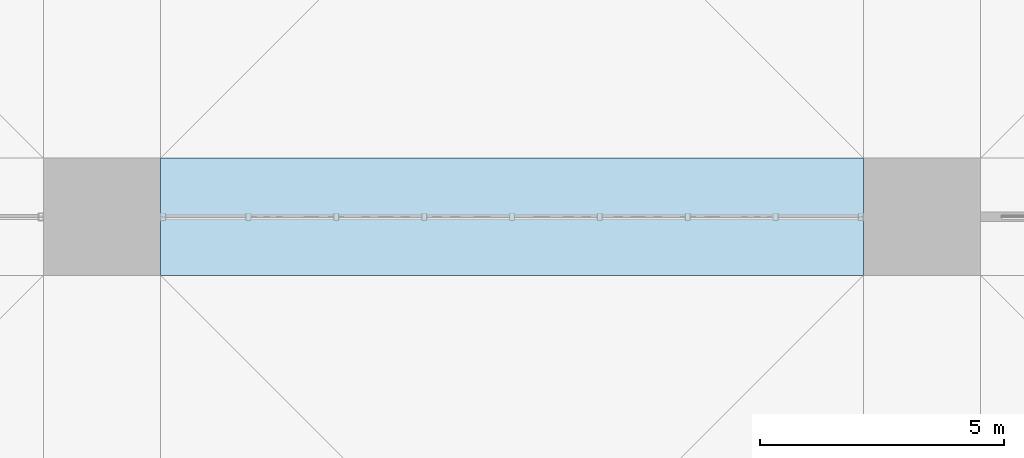
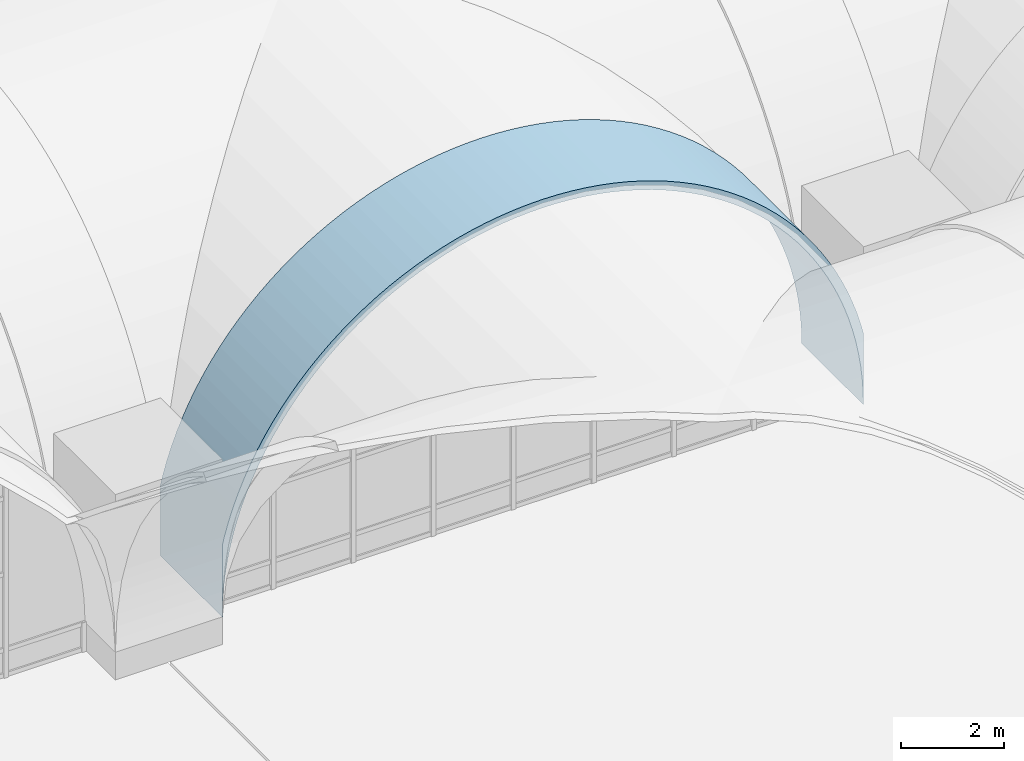
# One storey, part 132 of 169: 1 roof.
"""IFC4 building model written with IfcOpenShell, lengths in metres."""

from ifc_helpers import new_model, si_unit, direction, frame, origin, place, context, subcontext, project, spatial, polygons, material, layer, layer_set, type_object, element, save


model = new_model("IFC4")

# Units and contexts
model_context = context("Model", 3, precision=1e-05, world=origin(), true_north=direction((0.0, 1.0)))
body_context = subcontext(model_context, "Body", "Model", "MODEL_VIEW")
ifc_project = project(units=[si_unit("LENGTHUNIT", "METRE"), si_unit("AREAUNIT", "SQUARE_METRE"), si_unit("VOLUMEUNIT", "CUBIC_METRE"), si_unit("PLANEANGLEUNIT", "RADIAN"), si_unit("MASSUNIT", "GRAM", prefix="KILO")], contexts=[model_context])

# Site, building, storey
site_placement = place(None, origin())
site = spatial("IfcSite", under=ifc_project, at=site_placement, CompositionType="ELEMENT")
building_placement = place(site_placement, origin())
building = spatial("IfcBuilding", under=site, at=building_placement, Name="Verrick Yard Athletic Hall", CompositionType="ELEMENT")
storey_placement = place(building_placement, frame((0.0, 0.0, 4.39990234375)))
storey = spatial("IfcBuildingStorey", under=building, at=storey_placement, Name="L01", CompositionType="ELEMENT", Elevation=4.39990234375)

# Roof
ifc_material = material(Name="Concrete 35 MPa", Category="concrete")
ifc_layer = layer(ifc_material, 0.199951171875)
ifc_layer_set = layer_set([ifc_layer], Name="Arch rib 200")
roof_type = type_object("IfcRoofType", Name="Arch rib 200", PredefinedType="BARREL_ROOF", material=ifc_layer_set)
roof_placement = place(storey_placement, origin())
element("IfcRoof", 1, at=roof_placement, inside=storey, type_object=roof_type, Name="Vault rib M6", PredefinedType="BARREL_ROOF", context=body_context, shape_type="Tessellation", body=[
    polygons([(125.199951171875, 34.800048828125, 2.352294921875), (125.199951171875, 34.800048828125, 0.650146484375), (125.206787109375, 34.800048828125, 0.964111328125), (125.227294921875, 34.800048828125, 1.277587890625), (125.26171875, 34.800048828125, 1.58984375), (125.309326171875, 34.800048828125, 1.900390625), (125.37060546875, 34.800048828125, 2.20849609375), (125.4453125, 34.800048828125, 2.513671875), (125.533203125, 34.800048828125, 2.815185546875), (125.63427734375, 34.800048828125, 3.112548828125), (125.748046875, 34.800048828125, 3.405517578125), (125.87451171875, 34.800048828125, 3.693115234375), (126.013427734375, 34.800048828125, 3.974609375), (126.16455078125, 34.800048828125, 4.25), (126.32763671875, 34.800048828125, 4.518798828125), (126.502197265625, 34.800048828125, 4.77978515625), (126.68798828125, 34.800048828125, 5.033203125), (126.884521484375, 34.800048828125, 5.278076171875), (127.091552734375, 34.800048828125, 5.514404296875), (127.308837890625, 34.800048828125, 5.7412109375), (127.535888671875, 34.800048828125, 5.95849609375), (127.77197265625, 34.800048828125, 6.16552734375), (128.016845703125, 34.800048828125, 6.3623046875), (128.270263671875, 34.800048828125, 6.548095703125), (128.531494140625, 34.800048828125, 6.722412109375), (128.800048828125, 34.800048828125, 6.885498046875), (129.075439453125, 34.800048828125, 7.03662109375), (129.357177734375, 34.800048828125, 7.175537109375), (129.644775390625, 34.800048828125, 7.302001953125), (129.9375, 34.800048828125, 7.416015625), (130.23486328125, 34.800048828125, 7.516845703125), (130.53662109375, 34.800048828125, 7.604736328125), (130.841552734375, 34.800048828125, 7.679443359375), (131.149658203125, 34.800048828125, 7.74072265625), (131.460205078125, 34.800048828125, 7.78857421875), (131.7724609375, 34.800048828125, 7.82275390625), (132.0859375, 34.800048828125, 7.84326171875), (132.39990234375, 34.800048828125, 7.85009765625), (132.714111328125, 34.800048828125, 7.84326171875), (133.027587890625, 34.800048828125, 7.82275390625), (133.33984375, 34.800048828125, 7.78857421875), (133.650390625, 34.800048828125, 7.74072265625), (133.95849609375, 34.800048828125, 7.679443359375), (134.263427734375, 34.800048828125, 7.604736328125), (134.565185546875, 34.800048828125, 7.516845703125), (134.862548828125, 34.800048828125, 7.416015625), (135.1552734375, 34.800048828125, 7.302001953125), (135.44287109375, 34.800048828125, 7.175537109375), (135.724609375, 34.800048828125, 7.03662109375), (136.0, 34.800048828125, 6.885498046875), (136.2685546875, 34.800048828125, 6.722412109375), (136.52978515625, 34.800048828125, 6.548095703125), (136.783203125, 34.800048828125, 6.3623046875), (137.028076171875, 34.800048828125, 6.16552734375), (137.26416015625, 34.800048828125, 5.95849609375), (137.4912109375, 34.800048828125, 5.7412109375), (137.70849609375, 34.800048828125, 5.514404296875), (137.91552734375, 34.800048828125, 5.278076171875), (138.112060546875, 34.800048828125, 5.033203125), (138.2978515625, 34.800048828125, 4.77978515625), (138.472412109375, 34.800048828125, 4.518798828125), (138.635498046875, 34.800048828125, 4.25), (138.78662109375, 34.800048828125, 3.974609375), (138.92529296875, 34.800048828125, 3.693115234375), (139.052001953125, 34.800048828125, 3.405517578125), (139.165771484375, 34.800048828125, 3.112548828125), (139.266845703125, 34.800048828125, 2.815185546875), (139.354736328125, 34.800048828125, 2.513671875), (139.42919921875, 34.800048828125, 2.20849609375), (139.490478515625, 34.800048828125, 1.900390625), (139.538330078125, 34.800048828125, 1.58984375), (139.572509765625, 34.800048828125, 1.277587890625), (139.593017578125, 34.800048828125, 0.964111328125), (139.60009765625, 34.800048828125, 0.650146484375), (139.60009765625, 34.800048828125, 2.352294921875), (139.5478515625, 34.800048828125, 2.5654296875), (139.45751953125, 34.800048828125, 2.875244140625), (139.353759765625, 34.800048828125, 3.180908203125), (139.23681640625, 34.800048828125, 3.48193359375), (139.106689453125, 34.800048828125, 3.777587890625), (138.9638671875, 34.800048828125, 4.06689453125), (138.80859375, 34.800048828125, 4.35009765625), (138.64111328125, 34.800048828125, 4.6259765625), (138.461669921875, 34.800048828125, 4.89453125), (138.270751953125, 34.800048828125, 5.15478515625), (138.068603515625, 34.800048828125, 5.40673828125), (137.85595703125, 34.800048828125, 5.6494140625), (137.632568359375, 34.800048828125, 5.8828125), (137.3994140625, 34.800048828125, 6.10595703125), (137.156494140625, 34.800048828125, 6.31884765625), (136.90478515625, 34.800048828125, 6.52099609375), (136.64453125, 34.800048828125, 6.7119140625), (136.3759765625, 34.800048828125, 6.89111328125), (136.10009765625, 34.800048828125, 7.05859375), (135.81689453125, 34.800048828125, 7.214111328125), (135.52734375, 34.800048828125, 7.356689453125), (135.23193359375, 34.800048828125, 7.48681640625), (134.930908203125, 34.800048828125, 7.603759765625), (134.625244140625, 34.800048828125, 7.70751953125), (134.315185546875, 34.800048828125, 7.798095703125), (134.001708984375, 34.800048828125, 7.874755859375), (133.68505859375, 34.800048828125, 7.937744140625), (133.365966796875, 34.800048828125, 7.98681640625), (133.044921875, 34.800048828125, 8.02197265625), (132.722900390625, 34.800048828125, 8.043212890625), (132.39990234375, 34.800048828125, 8.050048828125), (132.0771484375, 34.800048828125, 8.043212890625), (131.7548828125, 34.800048828125, 8.02197265625), (131.43408203125, 34.800048828125, 7.98681640625), (131.114990234375, 34.800048828125, 7.937744140625), (130.79833984375, 34.800048828125, 7.874755859375), (130.484619140625, 34.800048828125, 7.798095703125), (130.1748046875, 34.800048828125, 7.70751953125), (129.869140625, 34.800048828125, 7.603759765625), (129.568115234375, 34.800048828125, 7.48681640625), (129.272705078125, 34.800048828125, 7.356689453125), (128.983154296875, 34.800048828125, 7.214111328125), (128.699951171875, 34.800048828125, 7.05859375), (128.424072265625, 34.800048828125, 6.89111328125), (128.155517578125, 34.800048828125, 6.7119140625), (127.895263671875, 34.800048828125, 6.52099609375), (127.643310546875, 34.800048828125, 6.31884765625), (127.400634765625, 34.800048828125, 6.10595703125), (127.16748046875, 34.800048828125, 5.8828125), (126.944091796875, 34.800048828125, 5.6494140625), (126.731201171875, 34.800048828125, 5.40673828125), (126.529296875, 34.800048828125, 5.15478515625), (126.33837890625, 34.800048828125, 4.89453125), (126.158935546875, 34.800048828125, 4.6259765625), (125.991455078125, 34.800048828125, 4.35009765625), (125.836181640625, 34.800048828125, 4.06689453125), (125.693359375, 34.800048828125, 3.777587890625), (125.563232421875, 34.800048828125, 3.48193359375), (125.4462890625, 34.800048828125, 3.180908203125), (125.342529296875, 34.800048828125, 2.875244140625), (125.252197265625, 34.800048828125, 2.5654296875), (125.199951171875, 37.199951171875, 2.352294921875), (125.199951171875, 37.199951171875, 0.650146484375), (125.206787109375, 37.199951171875, 0.964111328125), (125.227294921875, 37.199951171875, 1.277587890625), (125.26171875, 37.199951171875, 1.58984375), (125.309326171875, 37.199951171875, 1.900390625), (125.37060546875, 37.199951171875, 2.20849609375), (125.4453125, 37.199951171875, 2.513671875), (125.533203125, 37.199951171875, 2.815185546875), (125.63427734375, 37.199951171875, 3.112548828125), (125.748046875, 37.199951171875, 3.405517578125), (125.87451171875, 37.199951171875, 3.693115234375), (126.013427734375, 37.199951171875, 3.974609375), (126.16455078125, 37.199951171875, 4.25), (126.32763671875, 37.199951171875, 4.518798828125), (126.502197265625, 37.199951171875, 4.77978515625), (126.68798828125, 37.199951171875, 5.033203125), (126.884521484375, 37.199951171875, 5.278076171875), (127.091552734375, 37.199951171875, 5.514404296875), (127.308837890625, 37.199951171875, 5.7412109375), (127.535888671875, 37.199951171875, 5.95849609375), (127.77197265625, 37.199951171875, 6.16552734375), (128.016845703125, 37.199951171875, 6.3623046875), (128.270263671875, 37.199951171875, 6.548095703125), (128.531494140625, 37.199951171875, 6.722412109375), (128.800048828125, 37.199951171875, 6.885498046875), (129.075439453125, 37.199951171875, 7.03662109375), (129.357177734375, 37.199951171875, 7.175537109375), (129.644775390625, 37.199951171875, 7.302001953125), (129.9375, 37.199951171875, 7.416015625), (130.23486328125, 37.199951171875, 7.516845703125), (130.53662109375, 37.199951171875, 7.604736328125), (130.841552734375, 37.199951171875, 7.679443359375), (131.149658203125, 37.199951171875, 7.74072265625), (131.460205078125, 37.199951171875, 7.78857421875), (131.7724609375, 37.199951171875, 7.82275390625), (132.0859375, 37.199951171875, 7.84326171875), (132.39990234375, 37.199951171875, 7.85009765625), (132.714111328125, 37.199951171875, 7.84326171875), (133.027587890625, 37.199951171875, 7.82275390625), (133.33984375, 37.199951171875, 7.78857421875), (133.650390625, 37.199951171875, 7.74072265625), (133.95849609375, 37.199951171875, 7.679443359375), (134.263427734375, 37.199951171875, 7.604736328125), (134.565185546875, 37.199951171875, 7.516845703125), (134.862548828125, 37.199951171875, 7.416015625), (135.1552734375, 37.199951171875, 7.302001953125), (135.44287109375, 37.199951171875, 7.175537109375), (135.724609375, 37.199951171875, 7.03662109375), (136.0, 37.199951171875, 6.885498046875), (136.2685546875, 37.199951171875, 6.722412109375), (136.52978515625, 37.199951171875, 6.548095703125), (136.783203125, 37.199951171875, 6.3623046875), (137.028076171875, 37.199951171875, 6.16552734375), (137.26416015625, 37.199951171875, 5.95849609375), (137.4912109375, 37.199951171875, 5.7412109375), (137.70849609375, 37.199951171875, 5.514404296875), (137.91552734375, 37.199951171875, 5.278076171875), (138.112060546875, 37.199951171875, 5.033203125), (138.2978515625, 37.199951171875, 4.77978515625), (138.472412109375, 37.199951171875, 4.518798828125), (138.635498046875, 37.199951171875, 4.25), (138.78662109375, 37.199951171875, 3.974609375), (138.92529296875, 37.199951171875, 3.693115234375), (139.052001953125, 37.199951171875, 3.405517578125), (139.165771484375, 37.199951171875, 3.112548828125), (139.266845703125, 37.199951171875, 2.815185546875), (139.354736328125, 37.199951171875, 2.513671875), (139.42919921875, 37.199951171875, 2.20849609375), (139.490478515625, 37.199951171875, 1.900390625), (139.538330078125, 37.199951171875, 1.58984375), (139.572509765625, 37.199951171875, 1.277587890625), (139.593017578125, 37.199951171875, 0.964111328125), (139.60009765625, 37.199951171875, 0.650146484375), (139.60009765625, 37.199951171875, 2.352294921875), (139.5478515625, 37.199951171875, 2.5654296875), (139.45751953125, 37.199951171875, 2.875244140625), (139.353759765625, 37.199951171875, 3.180908203125), (139.23681640625, 37.199951171875, 3.48193359375), (139.106689453125, 37.199951171875, 3.777587890625), (138.9638671875, 37.199951171875, 4.06689453125), (138.80859375, 37.199951171875, 4.35009765625), (138.64111328125, 37.199951171875, 4.6259765625), (138.461669921875, 37.199951171875, 4.89453125), (138.270751953125, 37.199951171875, 5.15478515625), (138.068603515625, 37.199951171875, 5.40673828125), (137.85595703125, 37.199951171875, 5.6494140625), (137.632568359375, 37.199951171875, 5.8828125), (137.3994140625, 37.199951171875, 6.10595703125), (137.156494140625, 37.199951171875, 6.31884765625), (136.90478515625, 37.199951171875, 6.52099609375), (136.64453125, 37.199951171875, 6.7119140625), (136.3759765625, 37.199951171875, 6.89111328125), (136.10009765625, 37.199951171875, 7.05859375), (135.81689453125, 37.199951171875, 7.214111328125), (135.52734375, 37.199951171875, 7.356689453125), (135.23193359375, 37.199951171875, 7.48681640625), (134.930908203125, 37.199951171875, 7.603759765625), (134.625244140625, 37.199951171875, 7.70751953125), (134.315185546875, 37.199951171875, 7.798095703125), (134.001708984375, 37.199951171875, 7.874755859375), (133.68505859375, 37.199951171875, 7.937744140625), (133.365966796875, 37.199951171875, 7.98681640625), (133.044921875, 37.199951171875, 8.02197265625), (132.722900390625, 37.199951171875, 8.043212890625), (132.39990234375, 37.199951171875, 8.050048828125), (132.0771484375, 37.199951171875, 8.043212890625), (131.7548828125, 37.199951171875, 8.02197265625), (131.43408203125, 37.199951171875, 7.98681640625), (131.114990234375, 37.199951171875, 7.937744140625), (130.79833984375, 37.199951171875, 7.874755859375), (130.484619140625, 37.199951171875, 7.798095703125), (130.1748046875, 37.199951171875, 7.70751953125), (129.869140625, 37.199951171875, 7.603759765625), (129.568115234375, 37.199951171875, 7.48681640625), (129.272705078125, 37.199951171875, 7.356689453125), (128.983154296875, 37.199951171875, 7.214111328125), (128.699951171875, 37.199951171875, 7.05859375), (128.424072265625, 37.199951171875, 6.89111328125), (128.155517578125, 37.199951171875, 6.7119140625), (127.895263671875, 37.199951171875, 6.52099609375), (127.643310546875, 37.199951171875, 6.31884765625), (127.400634765625, 37.199951171875, 6.10595703125), (127.16748046875, 37.199951171875, 5.8828125), (126.944091796875, 37.199951171875, 5.6494140625), (126.731201171875, 37.199951171875, 5.40673828125), (126.529296875, 37.199951171875, 5.15478515625), (126.33837890625, 37.199951171875, 4.89453125), (126.158935546875, 37.199951171875, 4.6259765625), (125.991455078125, 37.199951171875, 4.35009765625), (125.836181640625, 37.199951171875, 4.06689453125), (125.693359375, 37.199951171875, 3.777587890625), (125.563232421875, 37.199951171875, 3.48193359375), (125.4462890625, 37.199951171875, 3.180908203125), (125.342529296875, 37.199951171875, 2.875244140625), (125.252197265625, 37.199951171875, 2.5654296875)], [[[1, 2, 3]], [[137, 139, 138]], [[136, 1, 3]], [[272, 139, 137]], [[136, 3, 4]], [[272, 140, 139]], [[136, 4, 5]], [[272, 141, 140]], [[136, 5, 6]], [[272, 142, 141]], [[136, 6, 7]], [[272, 143, 142]], [[136, 7, 8]], [[272, 144, 143]], [[136, 8, 9]], [[272, 145, 144]], [[136, 9, 10]], [[272, 146, 145]], [[136, 10, 11]], [[272, 147, 146]], [[136, 11, 12]], [[272, 148, 147]], [[136, 12, 13]], [[272, 149, 148]], [[73, 74, 75]], [[209, 211, 210]], [[72, 73, 75]], [[208, 211, 209]], [[71, 72, 75]], [[207, 211, 208]], [[70, 71, 75]], [[206, 211, 207]], [[69, 70, 75]], [[205, 211, 206]], [[68, 69, 75]], [[204, 211, 205]], [[67, 68, 75]], [[203, 211, 204]], [[66, 67, 75]], [[202, 211, 203]], [[65, 66, 75]], [[201, 211, 202]], [[64, 65, 75]], [[200, 211, 201]], [[63, 64, 75]], [[199, 211, 200]], [[63, 75, 76]], [[199, 212, 211]], [[63, 76, 77]], [[199, 213, 212]], [[62, 63, 77]], [[198, 213, 199]], [[62, 77, 78]], [[198, 214, 213]], [[61, 62, 78]], [[197, 214, 198]], [[61, 78, 79]], [[197, 215, 214]], [[60, 61, 79]], [[196, 215, 197]], [[60, 79, 80]], [[196, 216, 215]], [[59, 60, 80]], [[195, 216, 196]], [[59, 80, 81]], [[195, 217, 216]], [[58, 59, 81]], [[194, 217, 195]], [[58, 81, 82]], [[194, 218, 217]], [[57, 58, 82]], [[193, 218, 194]], [[57, 82, 83]], [[193, 219, 218]], [[56, 57, 83]], [[192, 219, 193]], [[56, 83, 84]], [[192, 220, 219]], [[55, 56, 84]], [[191, 220, 192]], [[55, 84, 85]], [[191, 221, 220]], [[54, 55, 85]], [[190, 221, 191]], [[54, 85, 86]], [[190, 222, 221]], [[53, 54, 86]], [[189, 222, 190]], [[53, 86, 87]], [[189, 223, 222]], [[52, 53, 87]], [[188, 223, 189]], [[52, 87, 88]], [[188, 224, 223]], [[51, 52, 88]], [[187, 224, 188]], [[51, 88, 89]], [[187, 225, 224]], [[50, 51, 89]], [[186, 225, 187]], [[50, 89, 90]], [[186, 226, 225]], [[49, 50, 90]], [[185, 226, 186]], [[49, 90, 91]], [[185, 227, 226]], [[48, 49, 91]], [[184, 227, 185]], [[48, 91, 92]], [[184, 228, 227]], [[47, 48, 92]], [[183, 228, 184]], [[47, 92, 93]], [[183, 229, 228]], [[46, 47, 93]], [[182, 229, 183]], [[46, 93, 94]], [[182, 230, 229]], [[45, 46, 94]], [[181, 230, 182]], [[45, 94, 95]], [[181, 231, 230]], [[44, 45, 95]], [[180, 231, 181]], [[44, 95, 96]], [[180, 232, 231]], [[43, 44, 96]], [[179, 232, 180]], [[43, 96, 97]], [[179, 233, 232]], [[42, 43, 97]], [[178, 233, 179]], [[42, 97, 98]], [[178, 234, 233]], [[41, 42, 98]], [[177, 234, 178]], [[41, 98, 99]], [[177, 235, 234]], [[40, 41, 99]], [[176, 235, 177]], [[40, 99, 100]], [[176, 236, 235]], [[39, 40, 100]], [[175, 236, 176]], [[39, 100, 101]], [[175, 237, 236]], [[38, 39, 101]], [[174, 237, 175]], [[38, 101, 102]], [[174, 238, 237]], [[37, 38, 102]], [[173, 238, 174]], [[37, 102, 103]], [[173, 239, 238]], [[36, 37, 103]], [[172, 239, 173]], [[36, 103, 104]], [[172, 240, 239]], [[35, 36, 104]], [[171, 240, 172]], [[35, 104, 105]], [[171, 241, 240]], [[34, 35, 105]], [[170, 241, 171]], [[34, 105, 106]], [[170, 242, 241]], [[33, 34, 106]], [[169, 242, 170]], [[33, 106, 107]], [[169, 243, 242]], [[32, 33, 107]], [[168, 243, 169]], [[32, 107, 108]], [[168, 244, 243]], [[31, 32, 108]], [[167, 244, 168]], [[31, 108, 109]], [[167, 245, 244]], [[30, 31, 109]], [[166, 245, 167]], [[30, 109, 110]], [[166, 246, 245]], [[29, 30, 110]], [[165, 246, 166]], [[29, 110, 111]], [[165, 247, 246]], [[28, 29, 111]], [[164, 247, 165]], [[28, 111, 112]], [[164, 248, 247]], [[27, 28, 112]], [[163, 248, 164]], [[27, 112, 113]], [[163, 249, 248]], [[26, 27, 113]], [[162, 249, 163]], [[26, 113, 114]], [[162, 250, 249]], [[25, 26, 114]], [[161, 250, 162]], [[25, 114, 115]], [[161, 251, 250]], [[24, 25, 115]], [[160, 251, 161]], [[24, 115, 116]], [[160, 252, 251]], [[23, 24, 116]], [[159, 252, 160]], [[23, 116, 117]], [[159, 253, 252]], [[22, 23, 117]], [[158, 253, 159]], [[22, 117, 118]], [[158, 254, 253]], [[21, 22, 118]], [[157, 254, 158]], [[21, 118, 119]], [[157, 255, 254]], [[20, 21, 119]], [[156, 255, 157]], [[20, 119, 120]], [[156, 256, 255]], [[19, 20, 120]], [[155, 256, 156]], [[19, 120, 121]], [[155, 257, 256]], [[18, 19, 121]], [[154, 257, 155]], [[18, 121, 122]], [[154, 258, 257]], [[17, 18, 122]], [[153, 258, 154]], [[17, 122, 123]], [[153, 259, 258]], [[16, 17, 123]], [[152, 259, 153]], [[16, 123, 124]], [[152, 260, 259]], [[15, 16, 124]], [[151, 260, 152]], [[15, 124, 125]], [[151, 261, 260]], [[14, 15, 125]], [[150, 261, 151]], [[14, 125, 126]], [[150, 262, 261]], [[13, 14, 126]], [[149, 262, 150]], [[136, 13, 126]], [[272, 262, 149]], [[136, 126, 127]], [[272, 263, 262]], [[136, 127, 128]], [[272, 264, 263]], [[136, 128, 129]], [[272, 265, 264]], [[136, 129, 130]], [[272, 266, 265]], [[136, 130, 131]], [[272, 267, 266]], [[136, 131, 132]], [[272, 268, 267]], [[136, 132, 133]], [[272, 269, 268]], [[136, 133, 134]], [[272, 270, 269]], [[134, 135, 136]], [[270, 272, 271]], [[1, 138, 2]], [[1, 137, 138]], [[2, 139, 3]], [[2, 138, 139]], [[3, 140, 4]], [[3, 139, 140]], [[4, 141, 5]], [[4, 140, 141]], [[5, 142, 6]], [[5, 141, 142]], [[6, 143, 7]], [[6, 142, 143]], [[7, 144, 8]], [[7, 143, 144]], [[8, 145, 9]], [[8, 144, 145]], [[9, 146, 10]], [[9, 145, 146]], [[10, 147, 11]], [[10, 146, 147]], [[11, 148, 12]], [[11, 147, 148]], [[12, 149, 13]], [[12, 148, 149]], [[13, 150, 14]], [[13, 149, 150]], [[14, 151, 15]], [[14, 150, 151]], [[15, 152, 16]], [[15, 151, 152]], [[16, 153, 17]], [[16, 152, 153]], [[17, 154, 18]], [[17, 153, 154]], [[18, 155, 19]], [[18, 154, 155]], [[19, 156, 20]], [[19, 155, 156]], [[20, 157, 21]], [[20, 156, 157]], [[21, 158, 22]], [[21, 157, 158]], [[22, 159, 23]], [[22, 158, 159]], [[23, 160, 24]], [[23, 159, 160]], [[24, 161, 25]], [[24, 160, 161]], [[25, 162, 26]], [[25, 161, 162]], [[26, 163, 27]], [[26, 162, 163]], [[27, 164, 28]], [[27, 163, 164]], [[28, 165, 29]], [[28, 164, 165]], [[29, 166, 30]], [[29, 165, 166]], [[30, 167, 31]], [[30, 166, 167]], [[31, 168, 32]], [[31, 167, 168]], [[32, 169, 33]], [[32, 168, 169]], [[33, 170, 34]], [[33, 169, 170]], [[34, 171, 35]], [[34, 170, 171]], [[35, 172, 36]], [[35, 171, 172]], [[36, 173, 37]], [[36, 172, 173]], [[37, 174, 38]], [[37, 173, 174]], [[38, 175, 39]], [[38, 174, 175]], [[39, 176, 40]], [[39, 175, 176]], [[40, 177, 41]], [[40, 176, 177]], [[41, 178, 42]], [[41, 177, 178]], [[42, 179, 43]], [[42, 178, 179]], [[43, 180, 44]], [[43, 179, 180]], [[44, 181, 45]], [[44, 180, 181]], [[45, 182, 46]], [[45, 181, 182]], [[46, 183, 47]], [[46, 182, 183]], [[47, 184, 48]], [[47, 183, 184]], [[48, 185, 49]], [[48, 184, 185]], [[49, 186, 50]], [[49, 185, 186]], [[50, 187, 51]], [[50, 186, 187]], [[51, 188, 52]], [[51, 187, 188]], [[52, 189, 53]], [[52, 188, 189]], [[53, 190, 54]], [[53, 189, 190]], [[54, 191, 55]], [[54, 190, 191]], [[55, 192, 56]], [[55, 191, 192]], [[56, 193, 57]], [[56, 192, 193]], [[57, 194, 58]], [[57, 193, 194]], [[58, 195, 59]], [[58, 194, 195]], [[59, 196, 60]], [[59, 195, 196]], [[60, 197, 61]], [[60, 196, 197]], [[61, 198, 62]], [[61, 197, 198]], [[62, 199, 63]], [[62, 198, 199]], [[63, 200, 64]], [[63, 199, 200]], [[64, 201, 65]], [[64, 200, 201]], [[65, 202, 66]], [[65, 201, 202]], [[66, 203, 67]], [[66, 202, 203]], [[67, 204, 68]], [[67, 203, 204]], [[68, 205, 69]], [[68, 204, 205]], [[69, 206, 70]], [[69, 205, 206]], [[70, 207, 71]], [[70, 206, 207]], [[71, 208, 72]], [[71, 207, 208]], [[72, 209, 73]], [[72, 208, 209]], [[73, 210, 74]], [[73, 209, 210]], [[74, 211, 75]], [[74, 210, 211]], [[75, 212, 76]], [[75, 211, 212]], [[76, 213, 77]], [[76, 212, 213]], [[77, 214, 78]], [[77, 213, 214]], [[78, 215, 79]], [[78, 214, 215]], [[79, 216, 80]], [[79, 215, 216]], [[80, 217, 81]], [[80, 216, 217]], [[81, 218, 82]], [[81, 217, 218]], [[82, 219, 83]], [[82, 218, 219]], [[83, 220, 84]], [[83, 219, 220]], [[84, 221, 85]], [[84, 220, 221]], [[85, 222, 86]], [[85, 221, 222]], [[86, 223, 87]], [[86, 222, 223]], [[87, 224, 88]], [[87, 223, 224]], [[88, 225, 89]], [[88, 224, 225]], [[89, 226, 90]], [[89, 225, 226]], [[90, 227, 91]], [[90, 226, 227]], [[91, 228, 92]], [[91, 227, 228]], [[92, 229, 93]], [[92, 228, 229]], [[93, 230, 94]], [[93, 229, 230]], [[94, 231, 95]], [[94, 230, 231]], [[95, 232, 96]], [[95, 231, 232]], [[96, 233, 97]], [[96, 232, 233]], [[97, 234, 98]], [[97, 233, 234]], [[98, 235, 99]], [[98, 234, 235]], [[99, 236, 100]], [[99, 235, 236]], [[100, 237, 101]], [[100, 236, 237]], [[101, 238, 102]], [[101, 237, 238]], [[102, 239, 103]], [[102, 238, 239]], [[103, 240, 104]], [[103, 239, 240]], [[104, 241, 105]], [[104, 240, 241]], [[105, 242, 106]], [[105, 241, 242]], [[106, 243, 107]], [[106, 242, 243]], [[107, 244, 108]], [[107, 243, 244]], [[108, 245, 109]], [[108, 244, 245]], [[109, 246, 110]], [[109, 245, 246]], [[110, 247, 111]], [[110, 246, 247]], [[111, 248, 112]], [[111, 247, 248]], [[112, 249, 113]], [[112, 248, 249]], [[113, 250, 114]], [[113, 249, 250]], [[114, 251, 115]], [[114, 250, 251]], [[115, 252, 116]], [[115, 251, 252]], [[116, 253, 117]], [[116, 252, 253]], [[117, 254, 118]], [[117, 253, 254]], [[118, 255, 119]], [[118, 254, 255]], [[119, 256, 120]], [[119, 255, 256]], [[120, 257, 121]], [[120, 256, 257]], [[121, 258, 122]], [[121, 257, 258]], [[122, 259, 123]], [[122, 258, 259]], [[123, 260, 124]], [[123, 259, 260]], [[124, 261, 125]], [[124, 260, 261]], [[125, 262, 126]], [[125, 261, 262]], [[126, 263, 127]], [[126, 262, 263]], [[127, 264, 128]], [[127, 263, 264]], [[128, 265, 129]], [[128, 264, 265]], [[129, 266, 130]], [[129, 265, 266]], [[130, 267, 131]], [[130, 266, 267]], [[131, 268, 132]], [[131, 267, 268]], [[132, 269, 133]], [[132, 268, 269]], [[133, 270, 134]], [[133, 269, 270]], [[134, 271, 135]], [[134, 270, 271]], [[135, 272, 136]], [[135, 271, 272]], [[136, 137, 1]], [[136, 272, 137]]], closed=True),
])

save(model, "model.ifc")
